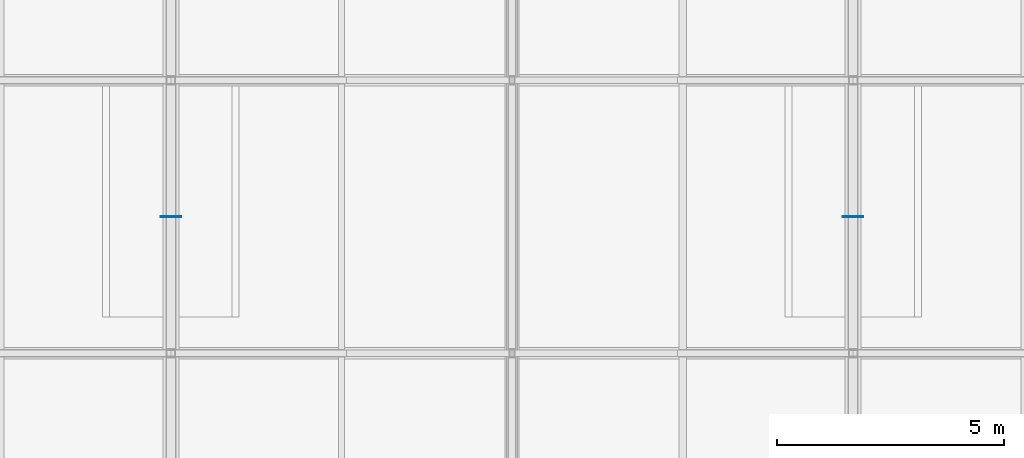
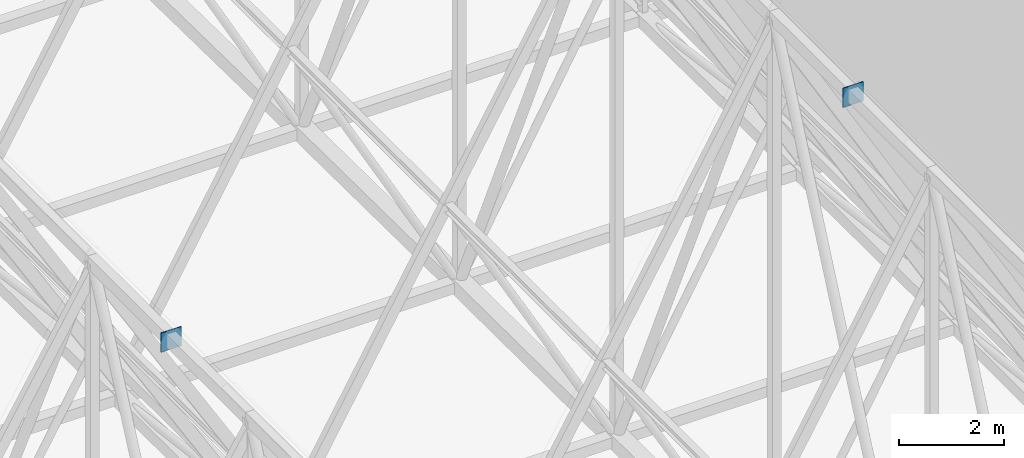
# One storey, part 294 of 324: 2 plates.
"""IFC4 building model written with IfcOpenShell, lengths in metres."""

from ifc_helpers import new_model, si_unit, direction, frame, origin, origin_2d, place, context, subcontext, project, spatial, rectangle, extrude, material, layer, layer_set, type_object, element, save


model = new_model("IFC4")

# Units and contexts
model_context = context("Model", 3, precision=1e-05, world=origin(), true_north=direction((0.0, 1.0)))
body_context = subcontext(model_context, "Body", "Model", "MODEL_VIEW")
ifc_project = project(units=[si_unit("LENGTHUNIT", "METRE"), si_unit("AREAUNIT", "SQUARE_METRE"), si_unit("VOLUMEUNIT", "CUBIC_METRE"), si_unit("PLANEANGLEUNIT", "RADIAN"), si_unit("MASSUNIT", "GRAM", prefix="KILO")], contexts=[model_context])

# Site, building, storey
site_placement = place(None, origin())
site = spatial("IfcSite", under=ifc_project, at=site_placement, CompositionType="ELEMENT")
building_placement = place(site_placement, origin())
building = spatial("IfcBuilding", under=site, at=building_placement, Name="Solvenia Promenade Tram Depot", CompositionType="ELEMENT")
storey_placement = place(building_placement, frame((0.0, 0.0, 4.5)))
storey = spatial("IfcBuildingStorey", under=building, at=storey_placement, Name="L01", CompositionType="ELEMENT", Elevation=4.5)

# Plates
ifc_material = material(Name="Structural steel ASTM A572 Gr. 50", Category="steel")
ifc_layer = layer(ifc_material, 0.02392578125, Name="Structural steel ASTM A572 Gr. 50", Category="steel")
ifc_layer_set = layer_set([ifc_layer], Name="Structural steel ASTM A572 Gr. 50")
plate_type = type_object("IfcPlateType", Name="Gusset-GP4", PredefinedType="USERDEFINED", material=ifc_layer_set)
for number, where, z_axis, x_axis, name in (
    (1, (37.5, 93.0, 15.421875), (0.0, 0.0, 1.0), (1.0, 0.0, 0.0), "Ridge Node Gusset T06-S05"),
    (2, (52.5, 93.0, 15.86279296875), (0.0, 0.0, 1.0), (1.0, 0.0, 0.0), "Ridge Node Gusset T08-S05"),
):
    element("IfcPlate", number, at=place(storey_placement, frame(where, z_axis=z_axis, x_axis=x_axis)), inside=storey, type_object=plate_type, Name=name, ObjectType="GUSSET PLATE", PredefinedType="USERDEFINED", context=body_context, shape_type="SweptSolid", body=[
        extrude(rectangle(XDim=0.449951171875, YDim=0.02001953125, at=origin_2d()), origin(), (0.0, 0.0, 1.0), 0.449951171875),
    ])

save(model, "model.ifc")
